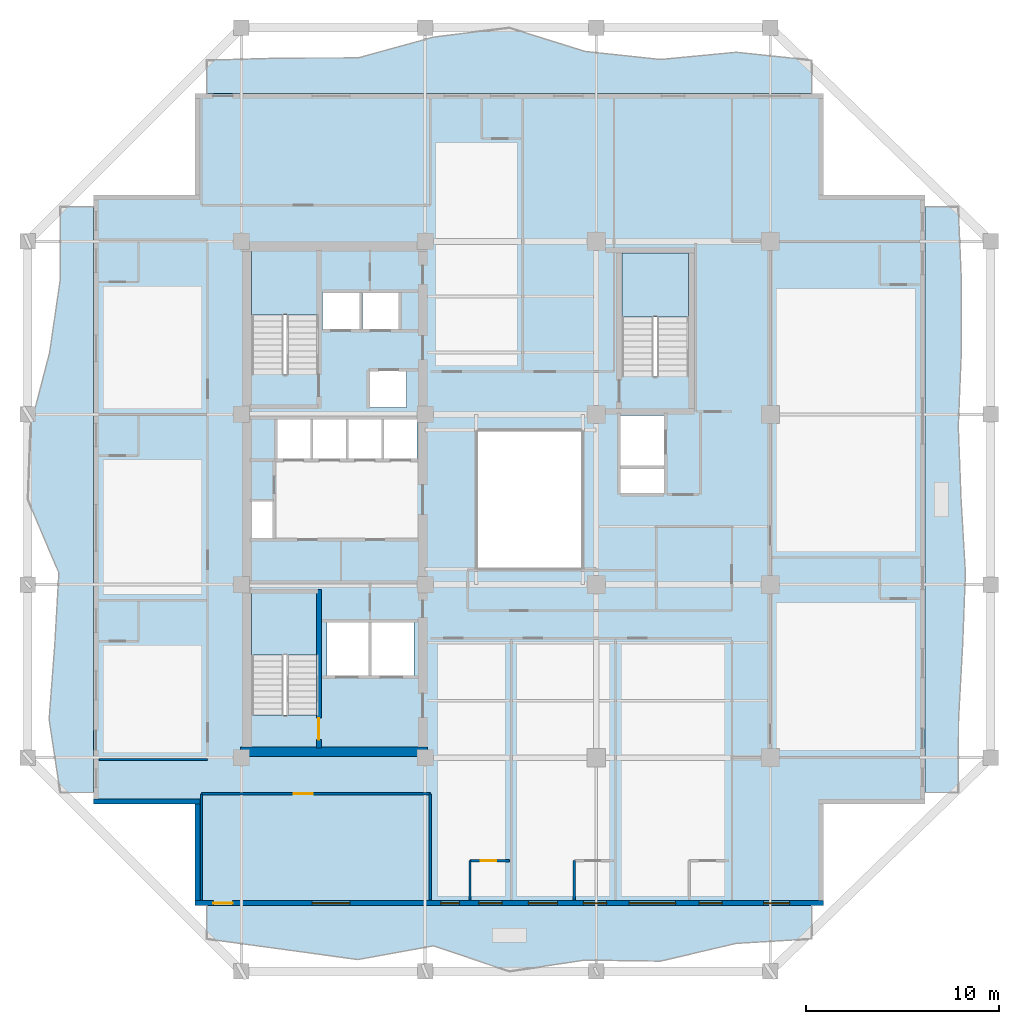
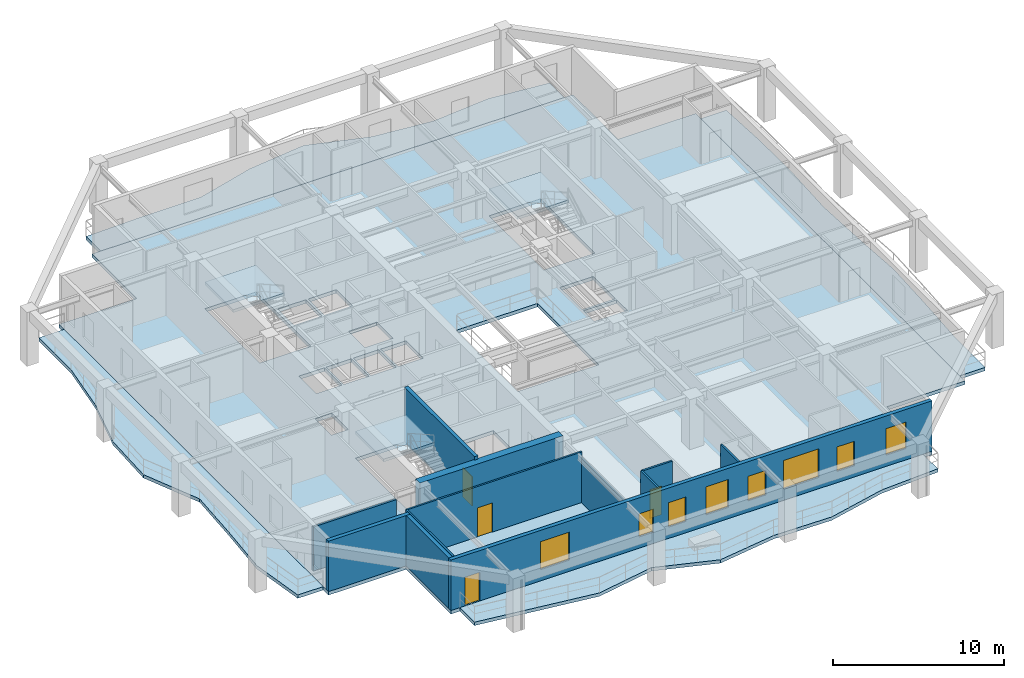
# One storey, part 2 of 13: 12 walls, 8 slabs, 8 windows, 4 doors, 12 openings, 3 elements without a shape of their own.
"""IFC4 building model written with IfcOpenShell, lengths in metres."""

from ifc_helpers import new_model, si_unit, direction, frame, frame_2d, origin, place, context, subcontext, project, spatial, polyline, rectangle, outline, extrude, material, layer, layer_set, type_object, element, fill, aggregate, save


model = new_model("IFC4")

# Units and contexts
model_context = context("Model", 3, precision=1e-05, world=origin(), true_north=direction((0.0, 1.0)))
body_context = subcontext(model_context, "Body", "Model", "MODEL_VIEW")
ifc_project = project(units=[si_unit("LENGTHUNIT", "METRE"), si_unit("AREAUNIT", "SQUARE_METRE"), si_unit("VOLUMEUNIT", "CUBIC_METRE"), si_unit("PLANEANGLEUNIT", "RADIAN"), si_unit("MASSUNIT", "GRAM", prefix="KILO")], contexts=[model_context])

# Site, building, storey
site_placement = place(None, origin())
site = spatial("IfcSite", under=ifc_project, at=site_placement, CompositionType="ELEMENT")
building_placement = place(site_placement, origin())
building = spatial("IfcBuilding", under=site, at=building_placement, Name="Kundavana Baori Tower", CompositionType="ELEMENT")
storey_placement = place(building_placement, frame((0.0, 0.0, 177.14990234375)))
storey = spatial("IfcBuildingStorey", under=building, at=storey_placement, Name="L43", CompositionType="ELEMENT", Elevation=177.14990234375)

# Slab
ifc_material_1 = material(Name="Concrete C40/50", Category="concrete")
ifc_layer_1 = layer(ifc_material_1, 0.25, Name="SLB-FLR-250")
ifc_layer_set_1 = layer_set([ifc_layer_1], Name="Concrete C40/50")
slab_type_1 = type_object("IfcSlabType", Name="SLB-FLR-250", PredefinedType="FLOOR", material=ifc_layer_set_1)
slab_1_placement = place(storey_placement, frame((0.0, 0.0, -0.25)))
element("IfcSlab", 1, at=slab_1_placement, inside=storey, type_object=slab_type_1, Name="L43 Structural Floor Slab", PredefinedType="FLOOR", context=body_context, shape_type="SweptSolid", body=[
    extrude(outline(polyline([(13.050048828125, 7.60009765625), (45.550048828125, 7.60009765625), (45.550048828125, 12.85009765625), (50.800048828125, 12.85009765625), (50.800048828125, 44.35009765625), (45.550048828125, 44.35009765625), (45.550048828125, 49.60009765625), (13.050048828125, 49.60009765625), (13.050048828125, 44.35009765625), (7.800048828125, 44.35009765625), (7.800048828125, 12.85009765625), (13.050048828125, 12.85009765625), (13.050048828125, 7.60009765625)]), holes=[polyline([(19.43994140625, 17.4619140625), (19.43994140625, 23.85009765625), (15.97998046875, 23.85009765625), (15.97998046875, 17.4619140625), (19.43994140625, 17.4619140625)]), polyline([(19.43994140625, 35.06201171875), (19.43994140625, 41.449951171875), (15.97998046875, 41.449951171875), (15.97998046875, 35.06201171875), (19.43994140625, 35.06201171875)]), polyline([(38.580078125, 34.9619140625), (38.580078125, 41.35009765625), (35.1201171875, 41.35009765625), (35.1201171875, 34.9619140625), (38.580078125, 34.9619140625)]), polyline([(17.300048828125, 30.699951171875), (19.02001953125, 30.699951171875), (19.02001953125, 32.75), (17.300048828125, 32.75), (17.300048828125, 30.699951171875)]), polyline([(19.139892578125, 30.699951171875), (20.860107421875, 30.699951171875), (20.860107421875, 32.75), (19.139892578125, 32.75), (19.139892578125, 30.699951171875)]), polyline([(20.97998046875, 30.699951171875), (22.699951171875, 30.699951171875), (22.699951171875, 32.75), (20.97998046875, 32.75), (20.97998046875, 30.699951171875)]), polyline([(22.820068359375, 30.699951171875), (24.5400390625, 30.699951171875), (24.5400390625, 32.75), (22.820068359375, 32.75), (22.820068359375, 30.699951171875)]), polyline([(19.64990234375, 37.39990234375), (21.550048828125, 37.39990234375), (21.550048828125, 39.300048828125), (19.64990234375, 39.300048828125), (19.64990234375, 37.39990234375)]), polyline([(21.699951171875, 37.39990234375), (23.60009765625, 37.39990234375), (23.60009765625, 39.300048828125), (21.699951171875, 39.300048828125), (21.699951171875, 37.39990234375)]), polyline([(22.10009765625, 33.35009765625), (24.0, 33.35009765625), (24.0, 35.25), (22.10009765625, 35.25), (22.10009765625, 33.35009765625)]), polyline([(19.8798828125, 19.5), (22.02001953125, 19.5), (22.02001953125, 22.25), (19.8798828125, 22.25), (19.8798828125, 19.5)]), polyline([(22.179931640625, 19.5), (24.3798828125, 19.5), (24.3798828125, 22.25), (22.179931640625, 22.25), (22.179931640625, 19.5)]), polyline([(35.050048828125, 30.35009765625), (37.300048828125, 30.35009765625), (37.300048828125, 32.949951171875), (35.050048828125, 32.949951171875), (35.050048828125, 30.35009765625)]), polyline([(15.949951171875, 26.60009765625), (17.080078125, 26.60009765625), (17.080078125, 28.5), (15.949951171875, 28.5), (15.949951171875, 26.60009765625)]), polyline([(35.050048828125, 28.949951171875), (37.300048828125, 28.949951171875), (37.300048828125, 30.199951171875), (35.050048828125, 30.199951171875), (35.050048828125, 28.949951171875)]), polyline([(27.60009765625, 25.0), (33.10009765625, 25.0), (33.10009765625, 32.199951171875), (27.60009765625, 32.199951171875), (27.60009765625, 25.0)])]), origin(), (0.0, 0.0, 1.0), 0.25),
])

# Stair, slab
ifc_material_2 = material(Name="Concrete C40/50", Category="concrete")
stair_type = type_object("IfcStairType", Name="STR-DOG-1650", PredefinedType="HALF_TURN_STAIR", material=ifc_material_2)
stair_1_placement = place(storey_placement, origin())
stair_1 = element("IfcStair", 2, at=stair_1_placement, inside=storey, type_object=stair_type, Name="L43 Protected Exit Stair ST1", PredefinedType="HALF_TURN_STAIR")
ifc_material_3 = material(Name="Concrete C40/50", Category="concrete")
ifc_layer_2 = layer(ifc_material_3, 0.199951171875, Name="SLB-LND-200")
ifc_layer_set_2 = layer_set([ifc_layer_2], Name="Concrete C40/50")
slab_type_2 = type_object("IfcSlabType", Name="SLB-LND-200", PredefinedType="LANDING", material=ifc_layer_set_2)
slab_2_placement = place(storey_placement, frame((0.0, 0.0, 1.72509765625)))
slab_2 = element("IfcSlab", 3, at=slab_2_placement, type_object=slab_type_2, Name="ST1 landing 1", PredefinedType="LANDING", context=body_context, shape_type="SweptSolid", body=[
    extrude(outline(polyline([(19.43994140625, 20.550048828125), (19.43994140625, 23.85009765625), (15.97998046875, 23.85009765625), (15.97998046875, 20.550048828125), (19.43994140625, 20.550048828125)])), origin(), (0.0, 0.0, 1.0), 0.199951171875),
])
aggregate(stair_1, [slab_2])

stair_2_placement = place(storey_placement, origin())
stair_2 = element("IfcStair", 4, at=stair_2_placement, inside=storey, type_object=stair_type, Name="L43 Protected Exit Stair ST2", PredefinedType="HALF_TURN_STAIR")
slab_3_placement = place(storey_placement, frame((0.0, 0.0, 1.72509765625)))
slab_3 = element("IfcSlab", 5, at=slab_3_placement, type_object=slab_type_2, Name="ST2 landing 1", PredefinedType="LANDING", context=body_context, shape_type="SweptSolid", body=[
    extrude(outline(polyline([(19.43994140625, 38.14990234375), (19.43994140625, 41.449951171875), (15.97998046875, 41.449951171875), (15.97998046875, 38.14990234375), (19.43994140625, 38.14990234375)])), origin(), (0.0, 0.0, 1.0), 0.199951171875),
])
aggregate(stair_2, [slab_3])

stair_3_placement = place(storey_placement, origin())
stair_3 = element("IfcStair", 6, at=stair_3_placement, inside=storey, type_object=stair_type, Name="L43 Protected Exit Stair ST3", PredefinedType="HALF_TURN_STAIR")
slab_4_placement = place(storey_placement, frame((0.0, 0.0, 1.72509765625)))
slab_4 = element("IfcSlab", 7, at=slab_4_placement, type_object=slab_type_2, Name="ST3 landing 1", PredefinedType="LANDING", context=body_context, shape_type="SweptSolid", body=[
    extrude(outline(polyline([(38.580078125, 38.050048828125), (38.580078125, 41.35009765625), (35.1201171875, 41.35009765625), (35.1201171875, 38.050048828125), (38.580078125, 38.050048828125)])), origin(), (0.0, 0.0, 1.0), 0.199951171875),
])
aggregate(stair_3, [slab_4])

# Slabs
ifc_material_4 = material(Name="Concrete C40/50", Category="concrete")
ifc_layer_3 = layer(ifc_material_4, 0.239990234375, Name="SLB-LOG-240")
ifc_layer_set_3 = layer_set([ifc_layer_3], Name="Concrete C40/50")
slab_type_3 = type_object("IfcSlabType", Name="SLB-LOG-240", PredefinedType="FLOOR", material=ifc_layer_set_3)
slab_5_placement = place(storey_placement, frame((0.0, 0.0, -0.239990234375)))
element("IfcSlab", 8, at=slab_5_placement, inside=storey, type_object=slab_type_3, Name="L43 Planted Loggia Balcony Slab S", PredefinedType="FLOOR", context=body_context, shape_type="SweptSolid", body=[
    extrude(outline(polyline([(13.64990234375, 7.60009765625), (44.949951171875, 7.60009765625), (44.949951171875, 5.8798828125), (41.0380859375, 5.64794921875), (37.125, 4.72900390625), (33.212890625, 4.782958984375), (29.300048828125, 4.199951171875), (25.387939453125, 5.52294921875), (21.47509765625, 4.81005859375), (17.56201171875, 5.347900390625), (13.64990234375, 5.8798828125), (13.64990234375, 7.60009765625)])), origin(), (0.0, 0.0, 1.0), 0.239990234375),
])
slab_6_placement = place(storey_placement, frame((0.0, 0.0, -0.239990234375)))
element("IfcSlab", 9, at=slab_6_placement, inside=storey, type_object=slab_type_3, Name="L43 Planted Loggia Balcony Slab E", PredefinedType="FLOOR", context=body_context, shape_type="SweptSolid", body=[
    extrude(outline(polyline([(50.800048828125, 13.449951171875), (50.800048828125, 43.75), (52.52001953125, 43.75), (52.680908203125, 39.9619140625), (52.677978515625, 36.175048828125), (52.52294921875, 32.387939453125), (52.6669921875, 28.60009765625), (52.89111328125, 24.81201171875), (52.74609375, 21.02490234375), (52.537109375, 17.238037109375), (52.52001953125, 13.449951171875), (50.800048828125, 13.449951171875)])), origin(), (0.0, 0.0, 1.0), 0.239990234375),
])
slab_7_placement = place(storey_placement, frame((0.0, 0.0, -0.239990234375)))
element("IfcSlab", 10, at=slab_7_placement, inside=storey, type_object=slab_type_3, Name="L43 Planted Loggia Balcony Slab N", PredefinedType="FLOOR", context=body_context, shape_type="SweptSolid", body=[
    extrude(outline(polyline([(44.949951171875, 49.60009765625), (13.64990234375, 49.60009765625), (13.64990234375, 51.320068359375), (17.56201171875, 51.430908203125), (21.47509765625, 51.43798828125), (25.387939453125, 52.514892578125), (29.300048828125, 53.0), (33.212890625, 51.77490234375), (37.125, 51.35693359375), (41.0380859375, 51.73095703125), (44.949951171875, 51.320068359375), (44.949951171875, 49.60009765625)])), origin(), (0.0, 0.0, 1.0), 0.239990234375),
])
slab_8_placement = place(storey_placement, frame((0.0, 0.0, -0.239990234375)))
element("IfcSlab", 11, at=slab_8_placement, inside=storey, type_object=slab_type_3, Name="L43 Planted Loggia Balcony Slab W", PredefinedType="FLOOR", context=body_context, shape_type="SweptSolid", body=[
    extrude(outline(polyline([(7.800048828125, 43.75), (7.800048828125, 13.449951171875), (6.080078125, 13.449951171875), (5.506103515625, 17.238037109375), (5.7939453125, 21.02490234375), (6.010986328125, 24.81201171875), (4.39990234375, 28.60009765625), (4.541015625, 32.387939453125), (5.52587890625, 36.175048828125), (6.080078125, 39.9619140625), (6.080078125, 43.75), (7.800048828125, 43.75)])), origin(), (0.0, 0.0, 1.0), 0.239990234375),
])

# Wall, opening, door
ifc_material_5 = material(Name="Concrete C50/60", Category="concrete")
ifc_layer_4 = layer(ifc_material_5, 0.39990234375, Name="WL-CORE-400")
ifc_layer_set_4 = layer_set([ifc_layer_4], Name="Concrete C50/60")
wall_type_1 = type_object("IfcWallType", Name="WL-CORE-400", PredefinedType="SHEAR", material=ifc_layer_set_4)
wall_1_placement = place(storey_placement, frame((19.4599609375, 15.739990234375, 0.0), z_axis=(0.0, 0.0, 1.0), x_axis=(0.0, 1.0, 0.0)))
wall_1 = element("IfcWall", 12, at=wall_1_placement, inside=storey, type_object=wall_type_1, Name="WL-L43-ST1-E", PredefinedType="SHEAR", context=body_context, shape_type="SweptSolid", body=[
    extrude(rectangle(XDim=8.199951171875, YDim=0.239990234375, at=frame_2d((4.10009765625, 0.0))), origin(), (0.0, 0.0, 1.0), 3.85009765625),
])
opening_1_placement = place(wall_1_placement, frame((0.449951171875, 0.0, 0.0)))
opening_1 = element("IfcOpeningElement", 13, at=opening_1_placement, cuts=wall_1, Name="Opening FD-110", PredefinedType="OPENING", context=body_context, shape_type="SweptSolid", body=[
    extrude(rectangle(XDim=1.10009765625, YDim=2.10009765625, at=frame_2d((0.550048828125, 1.050048828125))), frame((0.0, 0.1298828125, 0.0), z_axis=(0.0, -1.0, 0.0), x_axis=(1.0, 0.0, 0.0)), (0.0, 0.0, 1.0), 0.260009765625),
])
ifc_material_6 = material(Name="Galvanised Steel Fire-Rated Door Leaf", Category="steel")
door_type_1 = type_object("IfcDoorType", Name="DR-FD120-1100", OperationType="NOTDEFINED", PredefinedType="DOOR", material=ifc_material_6)
door_1_placement = place(opening_1_placement, origin())
door_1 = element("IfcDoor", 14, at=door_1_placement, inside=storey, type_object=door_type_1, Name="DR-L43-ST1", OperationType="SINGLE_SWING_LEFT", OverallHeight=2.10009765625, OverallWidth=1.10009765625, PredefinedType="DOOR", context=body_context, shape_type="SweptSolid", body=[
    extrude(rectangle(XDim=1.10009765625, YDim=2.10009765625, at=frame_2d((0.550048828125, 1.050048828125))), frame((0.0, 0.02490234375, 0.0), z_axis=(0.0, -1.0, 0.0), x_axis=(1.0, 0.0, 0.0)), (0.0, 0.0, 1.0), 0.050048828125),
])
fill(opening_1, door_1)

# Wall
ifc_material_7 = material(Name="Concrete C50/60", Category="concrete")
ifc_layer_5 = layer(ifc_material_7, 0.5, Name="WL-CORE-500")
ifc_layer_set_5 = layer_set([ifc_layer_5], Name="Concrete C50/60")
wall_type_2 = type_object("IfcWallType", Name="WL-CORE-500", PredefinedType="SHEAR", material=ifc_layer_set_5)
wall_2_placement = place(storey_placement, frame((15.39990234375, 15.56005859375, 0.0), z_axis=(0.0, 0.0, 1.0), x_axis=(1.0, 0.0, 0.0)))
element("IfcWall", 15, at=wall_2_placement, inside=storey, type_object=wall_type_2, Name="L43 Offset Core South Shear Wall", PredefinedType="SHEAR", context=body_context, shape_type="SweptSolid", body=[
    extrude(rectangle(XDim=9.68017578125, YDim=0.5, at=frame_2d((4.840087890625, 0.0))), origin(), (0.0, 0.0, 1.0), 3.60009765625),
])

# Wall, openings, door, windows
ifc_material_8 = material(Name="Kiln-Fired Terracotta Brick-Slip Masonry on Concrete C40/50", Category="masonry")
ifc_layer_6 = layer(ifc_material_8, 0.260009765625, Name="WL-EXT-BRK-260")
ifc_layer_set_6 = layer_set([ifc_layer_6], Name="Kiln-Fired Terracotta Brick-Slip Masonry on Concrete C40/50")
wall_type_3 = type_object("IfcWallType", Name="WL-EXT-BRK-260", PredefinedType="SOLIDWALL", material=ifc_layer_set_6)
wall_3_placement = place(storey_placement, frame((13.050048828125, 7.72998046875, 0.0), z_axis=(0.0, 0.0, 1.0), x_axis=(1.0, 0.0, 0.0)))
wall_3 = element("IfcWall", 16, at=wall_3_placement, inside=storey, type_object=wall_type_3, Name="L43 Exterior Insulated Facade Wall 01", PredefinedType="SOLIDWALL", context=body_context, shape_type="SweptSolid", body=[
    extrude(rectangle(XDim=32.5, YDim=0.260009765625, at=frame_2d((16.25, 0.0))), origin(), (0.0, 0.0, 1.0), 3.60009765625),
])
opening_2_placement = place(wall_3_placement, frame((0.949951171875, 0.0, 0.0)))
opening_2 = element("IfcOpeningElement", 17, at=opening_2_placement, cuts=wall_3, Name="Opening BD-1", PredefinedType="OPENING", context=body_context, shape_type="SweptSolid", body=[
    extrude(rectangle(XDim=1.0, YDim=2.050048828125, at=frame_2d((0.5, 1.02490234375))), frame((0.0, 0.14013671875, 0.0), z_axis=(0.0, -1.0, 0.0), x_axis=(1.0, 0.0, 0.0)), (0.0, 0.0, 1.0), 0.280029296875),
])
opening_3_placement = place(wall_3_placement, frame((6.054931640625, 0.0, 0.800048828125)))
opening_3 = element("IfcOpeningElement", 18, at=opening_3_placement, cuts=wall_3, Name="Opening W-09", PredefinedType="OPENING", context=body_context, shape_type="SweptSolid", body=[
    extrude(rectangle(XDim=1.949951171875, YDim=2.0, at=frame_2d((0.97509765625, 1.0))), frame((0.0, 0.14013671875, 0.0), z_axis=(0.0, -1.0, 0.0), x_axis=(1.0, 0.0, 0.0)), (0.0, 0.0, 1.0), 0.280029296875),
])
opening_4_placement = place(wall_3_placement, frame((12.719970703125, 0.0, 0.800048828125)))
opening_4 = element("IfcOpeningElement", 19, at=opening_4_placement, cuts=wall_3, Name="Opening W-13", PredefinedType="OPENING", context=body_context, shape_type="SweptSolid", body=[
    extrude(rectangle(XDim=0.949951171875, YDim=1.64990234375, at=frame_2d((0.47509765625, 0.824951171875))), frame((0.0, 0.14013671875, 0.0), z_axis=(0.0, -1.0, 0.0), x_axis=(1.0, 0.0, 0.0)), (0.0, 0.0, 1.0), 0.280029296875),
])
opening_5_placement = place(wall_3_placement, frame((14.68505859375, 0.0, 0.800048828125)))
opening_5 = element("IfcOpeningElement", 20, at=opening_5_placement, cuts=wall_3, Name="Opening W-03", PredefinedType="OPENING", context=body_context, shape_type="SweptSolid", body=[
    extrude(rectangle(XDim=1.199951171875, YDim=1.75, at=frame_2d((0.60009765625, 0.875))), frame((0.0, 0.14013671875, 0.0), z_axis=(0.0, -1.0, 0.0), x_axis=(1.0, 0.0, 0.0)), (0.0, 0.0, 1.0), 0.280029296875),
])
opening_6_placement = place(wall_3_placement, frame((17.235107421875, 0.0, 0.800048828125)))
opening_6 = element("IfcOpeningElement", 21, at=opening_6_placement, cuts=wall_3, Name="Opening W-02", PredefinedType="OPENING", context=body_context, shape_type="SweptSolid", body=[
    extrude(rectangle(XDim=1.5, YDim=2.0, at=frame_2d((0.75, 1.0))), frame((0.0, 0.14013671875, 0.0), z_axis=(0.0, -1.0, 0.0), x_axis=(1.0, 0.0, 0.0)), (0.0, 0.0, 1.0), 0.280029296875),
])
opening_7_placement = place(wall_3_placement, frame((20.0849609375, 0.0, 0.800048828125)))
opening_7 = element("IfcOpeningElement", 22, at=opening_7_placement, cuts=wall_3, Name="Opening W-03", PredefinedType="OPENING", context=body_context, shape_type="SweptSolid", body=[
    extrude(rectangle(XDim=1.199951171875, YDim=1.75, at=frame_2d((0.60009765625, 0.875))), frame((0.0, 0.14013671875, 0.0), z_axis=(0.0, -1.0, 0.0), x_axis=(1.0, 0.0, 0.0)), (0.0, 0.0, 1.0), 0.280029296875),
])
opening_8_placement = place(wall_3_placement, frame((22.455078125, 0.0, 0.800048828125)))
opening_8 = element("IfcOpeningElement", 23, at=opening_8_placement, cuts=wall_3, Name="Opening W-04", PredefinedType="OPENING", context=body_context, shape_type="SweptSolid", body=[
    extrude(rectangle(XDim=2.39990234375, YDim=2.050048828125, at=frame_2d((1.199951171875, 1.02490234375))), frame((0.0, 0.14013671875, 0.0), z_axis=(0.0, -1.0, 0.0), x_axis=(1.0, 0.0, 0.0)), (0.0, 0.0, 1.0), 0.280029296875),
])
opening_9_placement = place(wall_3_placement, frame((26.06494140625, 0.0, 0.800048828125)))
opening_9 = element("IfcOpeningElement", 24, at=opening_9_placement, cuts=wall_3, Name="Opening W-03", PredefinedType="OPENING", context=body_context, shape_type="SweptSolid", body=[
    extrude(rectangle(XDim=1.199951171875, YDim=1.75, at=frame_2d((0.60009765625, 0.875))), frame((0.0, 0.14013671875, 0.0), z_axis=(0.0, -1.0, 0.0), x_axis=(1.0, 0.0, 0.0)), (0.0, 0.0, 1.0), 0.280029296875),
])
opening_10_placement = place(wall_3_placement, frame((29.405029296875, 0.0, 0.800048828125)))
opening_10 = element("IfcOpeningElement", 25, at=opening_10_placement, cuts=wall_3, Name="Opening W-07", PredefinedType="OPENING", context=body_context, shape_type="SweptSolid", body=[
    extrude(rectangle(XDim=1.35009765625, YDim=1.89990234375, at=frame_2d((0.675048828125, 0.949951171875))), frame((0.0, 0.14013671875, 0.0), z_axis=(0.0, -1.0, 0.0), x_axis=(1.0, 0.0, 0.0)), (0.0, 0.0, 1.0), 0.280029296875),
])
ifc_material_9 = material(Name="Architectural Patinated Bronze Metalwork")
door_type_2 = type_object("IfcDoorType", Name="DR-EXT-LOG-1000", OperationType="NOTDEFINED", PredefinedType="DOOR", material=ifc_material_9)
door_2_placement = place(opening_2_placement, frame((1.0, 0.0, 0.0), z_axis=(0.0, 0.0, 1.0), x_axis=(-1.0, 0.0, 0.0)))
door_2 = element("IfcDoor", 26, at=door_2_placement, inside=storey, type_object=door_type_2, Name="L43 Loggia Balcony Access Door S", OperationType="SINGLE_SWING_LEFT", OverallHeight=2.050048828125, OverallWidth=1.0, PredefinedType="DOOR", context=body_context, shape_type="SweptSolid", body=[
    extrude(rectangle(XDim=1.0, YDim=2.050048828125, at=frame_2d((0.5, 1.02490234375))), frame((0.0, 0.02490234375, 0.0), z_axis=(0.0, -1.0, 0.0), x_axis=(1.0, 0.0, 0.0)), (0.0, 0.0, 1.0), 0.050048828125),
])
fill(opening_2, door_2)
ifc_material_10 = material(Name="Double-Glazed Solar-Control Low-E Insulated Glass", Category="glass")
window_type_1 = type_object("IfcWindowType", Name="WIN-LOG-1200x1750", PartitioningType="SINGLE_PANEL", PredefinedType="WINDOW", material=ifc_material_10)
window_1_placement = place(opening_5_placement, origin())
window_1 = element("IfcWindow", 27, at=window_1_placement, inside=storey, type_object=window_type_1, Name="L43 Recessed Loggia Window S-3", OverallHeight=1.75, OverallWidth=1.199951171875, PartitioningType="SINGLE_PANEL", PredefinedType="WINDOW", context=body_context, shape_type="SweptSolid", body=[
    extrude(rectangle(XDim=1.199951171875, YDim=1.75, at=frame_2d((0.60009765625, 0.875))), frame((0.0, 0.030029296875, 0.0), z_axis=(0.0, -1.0, 0.0), x_axis=(1.0, 0.0, 0.0)), (0.0, 0.0, 1.0), 0.06005859375),
])
fill(opening_5, window_1)
window_2_placement = place(opening_7_placement, origin())
window_2 = element("IfcWindow", 28, at=window_2_placement, inside=storey, type_object=window_type_1, Name="L43 Recessed Loggia Window S-5", OverallHeight=1.75, OverallWidth=1.199951171875, PartitioningType="SINGLE_PANEL", PredefinedType="WINDOW", context=body_context, shape_type="SweptSolid", body=[
    extrude(rectangle(XDim=1.199951171875, YDim=1.75, at=frame_2d((0.60009765625, 0.875))), frame((0.0, 0.030029296875, 0.0), z_axis=(0.0, -1.0, 0.0), x_axis=(1.0, 0.0, 0.0)), (0.0, 0.0, 1.0), 0.06005859375),
])
fill(opening_7, window_2)
window_3_placement = place(opening_9_placement, origin())
window_3 = element("IfcWindow", 29, at=window_3_placement, inside=storey, type_object=window_type_1, Name="L43 Recessed Loggia Window S-7", OverallHeight=1.75, OverallWidth=1.199951171875, PartitioningType="SINGLE_PANEL", PredefinedType="WINDOW", context=body_context, shape_type="SweptSolid", body=[
    extrude(rectangle(XDim=1.199951171875, YDim=1.75, at=frame_2d((0.60009765625, 0.875))), frame((0.0, 0.030029296875, 0.0), z_axis=(0.0, -1.0, 0.0), x_axis=(1.0, 0.0, 0.0)), (0.0, 0.0, 1.0), 0.06005859375),
])
fill(opening_9, window_3)
ifc_material_11 = material(Name="Double-Glazed Solar-Control Low-E Insulated Glass", Category="glass")
window_type_2 = type_object("IfcWindowType", Name="WIN-LOG-1350x1900", PartitioningType="SINGLE_PANEL", PredefinedType="WINDOW", material=ifc_material_11)
window_4_placement = place(opening_10_placement, origin())
window_4 = element("IfcWindow", 30, at=window_4_placement, inside=storey, type_object=window_type_2, Name="L43 Recessed Loggia Window S-8", OverallHeight=1.89990234375, OverallWidth=1.35009765625, PartitioningType="SINGLE_PANEL", PredefinedType="WINDOW", context=body_context, shape_type="SweptSolid", body=[
    extrude(rectangle(XDim=1.35009765625, YDim=1.89990234375, at=frame_2d((0.675048828125, 0.949951171875))), frame((0.0, 0.030029296875, 0.0), z_axis=(0.0, -1.0, 0.0), x_axis=(1.0, 0.0, 0.0)), (0.0, 0.0, 1.0), 0.06005859375),
])
fill(opening_10, window_4)
ifc_material_12 = material(Name="Double-Glazed Solar-Control Low-E Insulated Glass", Category="glass")
window_type_3 = type_object("IfcWindowType", Name="WIN-LOG-1500x2000", PartitioningType="SINGLE_PANEL", PredefinedType="WINDOW", material=ifc_material_12)
window_5_placement = place(opening_6_placement, origin())
window_5 = element("IfcWindow", 31, at=window_5_placement, inside=storey, type_object=window_type_3, Name="L43 Recessed Loggia Window S-4", OverallHeight=2.0, OverallWidth=1.5, PartitioningType="SINGLE_PANEL", PredefinedType="WINDOW", context=body_context, shape_type="SweptSolid", body=[
    extrude(rectangle(XDim=1.5, YDim=2.0, at=frame_2d((0.75, 1.0))), frame((0.0, 0.030029296875, 0.0), z_axis=(0.0, -1.0, 0.0), x_axis=(1.0, 0.0, 0.0)), (0.0, 0.0, 1.0), 0.06005859375),
])
fill(opening_6, window_5)
ifc_material_13 = material(Name="Double-Glazed Solar-Control Low-E Insulated Glass", Category="glass")
window_type_4 = type_object("IfcWindowType", Name="WIN-LOG-1950x2000", PartitioningType="SINGLE_PANEL", PredefinedType="WINDOW", material=ifc_material_13)
window_6_placement = place(opening_3_placement, origin())
window_6 = element("IfcWindow", 32, at=window_6_placement, inside=storey, type_object=window_type_4, Name="L43 Recessed Loggia Window S-1", OverallHeight=2.0, OverallWidth=1.949951171875, PartitioningType="SINGLE_PANEL", PredefinedType="WINDOW", context=body_context, shape_type="SweptSolid", body=[
    extrude(rectangle(XDim=1.949951171875, YDim=2.0, at=frame_2d((0.97509765625, 1.0))), frame((0.0, 0.030029296875, 0.0), z_axis=(0.0, -1.0, 0.0), x_axis=(1.0, 0.0, 0.0)), (0.0, 0.0, 1.0), 0.06005859375),
])
fill(opening_3, window_6)
ifc_material_14 = material(Name="Double-Glazed Solar-Control Low-E Insulated Glass", Category="glass")
window_type_5 = type_object("IfcWindowType", Name="WIN-LOG-2400x2050", PartitioningType="SINGLE_PANEL", PredefinedType="WINDOW", material=ifc_material_14)
window_7_placement = place(opening_8_placement, origin())
window_7 = element("IfcWindow", 33, at=window_7_placement, inside=storey, type_object=window_type_5, Name="L43 Recessed Loggia Window S-6", OverallHeight=2.050048828125, OverallWidth=2.39990234375, PartitioningType="SINGLE_PANEL", PredefinedType="WINDOW", context=body_context, shape_type="SweptSolid", body=[
    extrude(rectangle(XDim=2.39990234375, YDim=2.050048828125, at=frame_2d((1.199951171875, 1.02490234375))), frame((0.0, 0.030029296875, 0.0), z_axis=(0.0, -1.0, 0.0), x_axis=(1.0, 0.0, 0.0)), (0.0, 0.0, 1.0), 0.06005859375),
])
fill(opening_8, window_7)
ifc_material_15 = material(Name="Double-Glazed Solar-Control Low-E Insulated Glass", Category="glass")
window_type_6 = type_object("IfcWindowType", Name="WIN-LOG-950x1650", PartitioningType="SINGLE_PANEL", PredefinedType="WINDOW", material=ifc_material_15)
window_8_placement = place(opening_4_placement, origin())
window_8 = element("IfcWindow", 34, at=window_8_placement, inside=storey, type_object=window_type_6, Name="L43 Recessed Loggia Window S-2", OverallHeight=1.64990234375, OverallWidth=0.949951171875, PartitioningType="SINGLE_PANEL", PredefinedType="WINDOW", context=body_context, shape_type="SweptSolid", body=[
    extrude(rectangle(XDim=0.949951171875, YDim=1.64990234375, at=frame_2d((0.47509765625, 0.824951171875))), frame((0.0, 0.030029296875, 0.0), z_axis=(0.0, -1.0, 0.0), x_axis=(1.0, 0.0, 0.0)), (0.0, 0.0, 1.0), 0.06005859375),
])
fill(opening_4, window_8)

# Walls
wall_4_placement = place(storey_placement, frame((7.800048828125, 12.97998046875, 0.0), z_axis=(0.0, 0.0, 1.0), x_axis=(1.0, 0.0, 0.0)))
element("IfcWall", 35, at=wall_4_placement, inside=storey, type_object=wall_type_3, Name="L43 Exterior Insulated Facade Wall 11", PredefinedType="SOLIDWALL", context=body_context, shape_type="SweptSolid", body=[
    extrude(rectangle(XDim=5.510009765625, YDim=0.260009765625, at=frame_2d((2.7548828125, 0.0))), origin(), (0.0, 0.0, 1.0), 3.60009765625),
])
wall_5_placement = place(storey_placement, frame((13.179931640625, 12.85009765625, 0.0), z_axis=(0.0, 0.0, 1.0), x_axis=(0.0, -1.0, 0.0)))
element("IfcWall", 36, at=wall_5_placement, inside=storey, type_object=wall_type_3, Name="L43 Exterior Insulated Facade Wall 12", PredefinedType="SOLIDWALL", context=body_context, shape_type="SweptSolid", body=[
    extrude(rectangle(XDim=4.989990234375, YDim=0.260009765625, at=frame_2d((2.4951171875, 0.0))), origin(), (0.0, 0.0, 1.0), 3.60009765625),
])
ifc_material_16 = material(Name="Acoustic Gypsum Plasterboard on Galvanised Steel Studs", Category="steel")
ifc_layer_7 = layer(ifc_material_16, 0.1201171875, Name="WL-PART-120")
ifc_layer_set_7 = layer_set([ifc_layer_7], Name="Acoustic Gypsum Plasterboard on Galvanised Steel Studs")
wall_type_4 = type_object("IfcWallType", Name="WL-PART-120", PredefinedType="PARTITIONING", material=ifc_layer_set_7)
wall_6_placement = place(storey_placement, frame((8.080078125, 15.159912109375, 0.0), z_axis=(0.0, 0.0, 1.0), x_axis=(1.0, 0.0, 0.0)))
element("IfcWall", 37, at=wall_6_placement, inside=storey, type_object=wall_type_4, Name="WL-L43-HWS", PredefinedType="PARTITIONING", context=body_context, shape_type="SweptSolid", body=[
    extrude(rectangle(XDim=5.619873046875, YDim=0.1201171875, at=frame_2d((2.81005859375, 0.0))), origin(), (0.0, 0.0, 1.0), 3.150146484375),
])

# Wall, opening, door
wall_7_placement = place(storey_placement, frame((13.389892578125, 13.3798828125, 0.0), z_axis=(0.0, 0.0, 1.0), x_axis=(1.0, 0.0, 0.0)))
wall_7 = element("IfcWall", 38, at=wall_7_placement, inside=storey, type_object=wall_type_4, Name="WL-L43-HSC", PredefinedType="PARTITIONING", context=body_context, shape_type="SweptSolid", body=[
    extrude(rectangle(XDim=11.830078125, YDim=0.1201171875, at=frame_2d((5.9150390625, 0.0))), origin(), (0.0, 0.0, 1.0), 3.60009765625),
])
opening_11_placement = place(wall_7_placement, frame((4.760009765625, 0.0, 0.0)))
opening_11 = element("IfcOpeningElement", 39, at=opening_11_placement, cuts=wall_7, Name="Opening ID-100", PredefinedType="OPENING", context=body_context, shape_type="SweptSolid", body=[
    extrude(rectangle(XDim=1.0, YDim=2.080078125, at=frame_2d((0.5, 1.0400390625))), frame((0.0, 0.070068359375, 0.0), z_axis=(0.0, -1.0, 0.0), x_axis=(1.0, 0.0, 0.0)), (0.0, 0.0, 1.0), 0.14013671875),
])
ifc_material_17 = material(Name="Engineered Teak Solid-Core Timber Veneer", Category="wood")
door_type_3 = type_object("IfcDoorType", Name="DR-INT-1000", OperationType="NOTDEFINED", PredefinedType="DOOR", material=ifc_material_17)
door_3_placement = place(opening_11_placement, frame((1.0, 0.0, 0.0), z_axis=(0.0, 0.0, 1.0), x_axis=(-1.0, 0.0, 0.0)))
door_3 = element("IfcDoor", 40, at=door_3_placement, inside=storey, type_object=door_type_3, Name="DR-L43-HMSW", OperationType="SINGLE_SWING_LEFT", OverallHeight=2.080078125, OverallWidth=1.0, PredefinedType="DOOR", context=body_context, shape_type="SweptSolid", body=[
    extrude(rectangle(XDim=1.0, YDim=2.080078125, at=frame_2d((0.5, 1.0400390625))), frame((0.0, 0.02490234375, 0.0), z_axis=(0.0, -1.0, 0.0), x_axis=(1.0, 0.0, 0.0)), (0.0, 0.0, 1.0), 0.050048828125),
])
fill(opening_11, door_3)

# Walls
wall_8_placement = place(storey_placement, frame((13.389892578125, 7.8798828125, 0.0), z_axis=(0.0, 0.0, 1.0), x_axis=(0.0, 1.0, 0.0)))
element("IfcWall", 41, at=wall_8_placement, inside=storey, type_object=wall_type_4, Name="WL-L43-HSCW", PredefinedType="PARTITIONING", context=body_context, shape_type="SweptSolid", body=[
    extrude(rectangle(XDim=5.5, YDim=0.1201171875, at=frame_2d((2.75, 0.0))), origin(), (0.0, 0.0, 1.0), 3.60009765625),
])
wall_9_placement = place(storey_placement, frame((25.219970703125, 7.8798828125, 0.0), z_axis=(0.0, 0.0, 1.0), x_axis=(0.0, 1.0, 0.0)))
element("IfcWall", 42, at=wall_9_placement, inside=storey, type_object=wall_type_4, Name="WL-L43-HSCE", PredefinedType="PARTITIONING", context=body_context, shape_type="SweptSolid", body=[
    extrude(rectangle(XDim=5.5, YDim=0.1201171875, at=frame_2d((2.75, 0.0))), origin(), (0.0, 0.0, 1.0), 3.150146484375),
])
ifc_material_18 = material(Name="Autoclaved Aerated Concrete Blockwork Masonry", Category="masonry")
ifc_layer_8 = layer(ifc_material_18, 0.125, Name="WL-WET-120")
ifc_layer_set_8 = layer_set([ifc_layer_8], Name="Autoclaved Aerated Concrete Blockwork Masonry")
wall_type_5 = type_object("IfcWallType", Name="WL-WET-120", PredefinedType="PLUMBINGWALL", material=ifc_layer_set_8)
wall_10_placement = place(storey_placement, frame((27.27001953125, 7.8798828125, 0.0), z_axis=(0.0, 0.0, 1.0), x_axis=(0.0, 1.0, 0.0)))
element("IfcWall", 43, at=wall_10_placement, inside=storey, type_object=wall_type_5, Name="WL-L43-HK-S1-BW", PredefinedType="PLUMBINGWALL", context=body_context, shape_type="SweptSolid", body=[
    extrude(rectangle(XDim=2.050048828125, YDim=0.125, at=frame_2d((1.02490234375, 0.0))), origin(), (0.0, 0.0, 1.0), 3.60009765625),
])

# Wall, opening, door
wall_11_placement = place(storey_placement, frame((27.27001953125, 9.929931640625, 0.0), z_axis=(0.0, 0.0, 1.0), x_axis=(1.0, 0.0, 0.0)))
wall_11 = element("IfcWall", 44, at=wall_11_placement, inside=storey, type_object=wall_type_5, Name="WL-L43-HK-S1-BN", PredefinedType="PLUMBINGWALL", context=body_context, shape_type="SweptSolid", body=[
    extrude(rectangle(XDim=2.050048828125, YDim=0.125, at=frame_2d((1.02490234375, 0.0))), origin(), (0.0, 0.0, 1.0), 3.60009765625),
])
opening_12_placement = place(wall_11_placement, frame((0.550048828125, 0.0, 0.0)))
opening_12 = element("IfcOpeningElement", 45, at=opening_12_placement, cuts=wall_11, Name="Opening WD-080", PredefinedType="OPENING", context=body_context, shape_type="SweptSolid", body=[
    extrude(rectangle(XDim=0.800048828125, YDim=2.050048828125, at=frame_2d((0.39990234375, 1.02490234375))), frame((0.0, 0.072509765625, 0.0), z_axis=(0.0, -1.0, 0.0), x_axis=(1.0, 0.0, 0.0)), (0.0, 0.0, 1.0), 0.14501953125),
])
ifc_material_19 = material(Name="Engineered Teak Solid-Core Timber Veneer", Category="wood")
door_type_4 = type_object("IfcDoorType", Name="DR-WET-800", OperationType="NOTDEFINED", PredefinedType="DOOR", material=ifc_material_19)
door_4_placement = place(opening_12_placement, origin())
door_4 = element("IfcDoor", 46, at=door_4_placement, inside=storey, type_object=door_type_4, Name="DR-L43-HK-S1-ENS", OperationType="SINGLE_SWING_LEFT", OverallHeight=2.050048828125, OverallWidth=0.800048828125, PredefinedType="DOOR", context=body_context, shape_type="SweptSolid", body=[
    extrude(rectangle(XDim=0.800048828125, YDim=2.050048828125, at=frame_2d((0.39990234375, 1.02490234375))), frame((0.0, 0.02490234375, 0.0), z_axis=(0.0, -1.0, 0.0), x_axis=(1.0, 0.0, 0.0)), (0.0, 0.0, 1.0), 0.050048828125),
])
fill(opening_12, door_4)

# Wall
wall_12_placement = place(storey_placement, frame((32.669921875, 7.8798828125, 0.0), z_axis=(0.0, 0.0, 1.0), x_axis=(0.0, 1.0, 0.0)))
element("IfcWall", 47, at=wall_12_placement, inside=storey, type_object=wall_type_5, Name="WL-L43-HK-S2-BW", PredefinedType="PLUMBINGWALL", context=body_context, shape_type="SweptSolid", body=[
    extrude(rectangle(XDim=2.050048828125, YDim=0.125, at=frame_2d((1.02490234375, 0.0))), origin(), (0.0, 0.0, 1.0), 3.60009765625),
])

save(model, "model.ifc")
